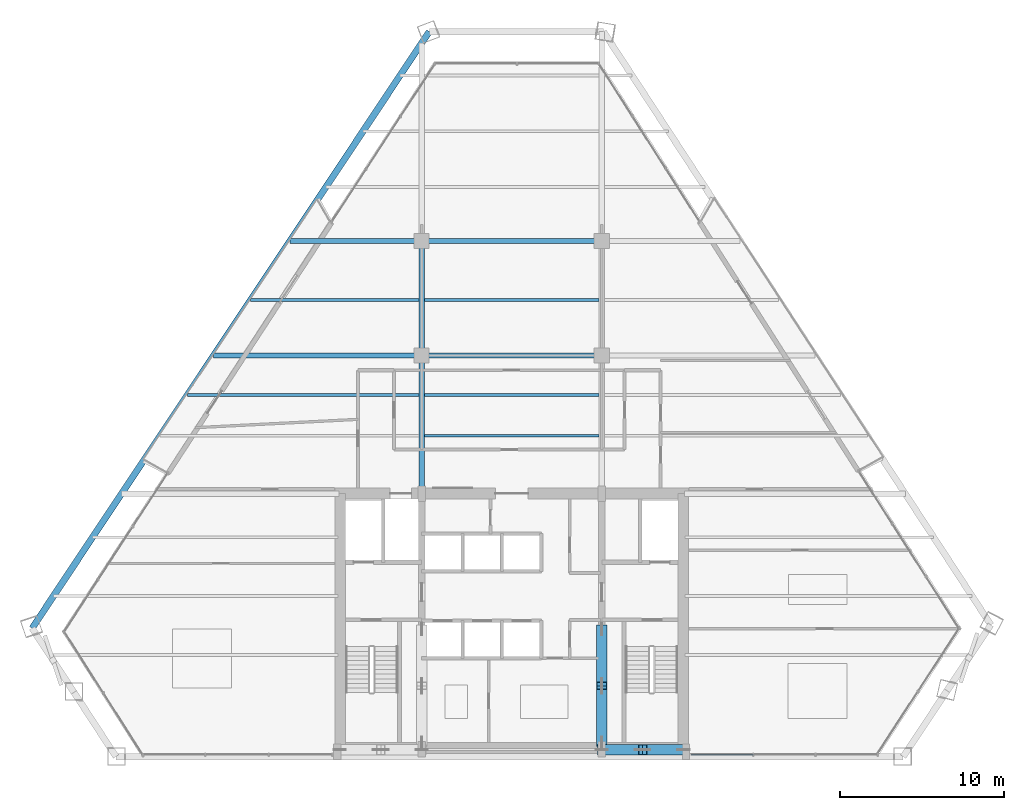
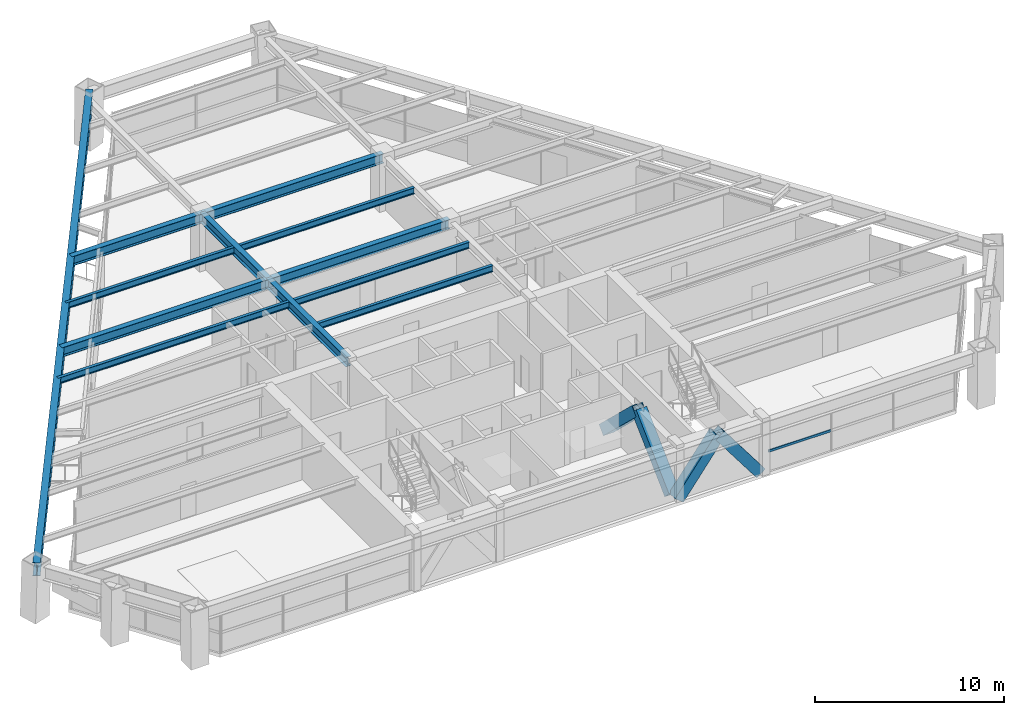
# One storey, part 5 of 15: 12 beams, 5 members, 1 element without a shape of its own.
"""IFC4 building model written with IfcOpenShell, lengths in metres."""

from ifc_helpers import new_model, si_unit, direction, frame, origin, origin_2d, place, context, subcontext, project, spatial, rectangle, hollow_rectangle, i_section, extrude, source, transform, mapped, material, material_profile, profile_set, type_object, type_shapes, element, aggregate, save


model = new_model("IFC4")

# Units and contexts
model_context = context("Model", 3, precision=1e-05, world=origin(), true_north=direction((0.0, 1.0)))
body_context = subcontext(model_context, "Body", "Model", "MODEL_VIEW")
ifc_project = project(units=[si_unit("LENGTHUNIT", "METRE"), si_unit("AREAUNIT", "SQUARE_METRE"), si_unit("VOLUMEUNIT", "CUBIC_METRE"), si_unit("PLANEANGLEUNIT", "RADIAN"), si_unit("MASSUNIT", "GRAM", prefix="KILO")], contexts=[model_context])

# Site, building, storey
site_placement = place(None, origin())
site = spatial("IfcSite", under=ifc_project, at=site_placement, CompositionType="ELEMENT")
building_placement = place(site_placement, origin())
building = spatial("IfcBuilding", under=site, at=building_placement, Name="Varnakhor Terracotta Tower", CompositionType="ELEMENT")
storey_placement = place(building_placement, frame((0.0, 0.0, 136.699951171875)))
storey = spatial("IfcBuildingStorey", under=building, at=storey_placement, Name="L34", CompositionType="ELEMENT", Elevation=136.699951171875)

# Beams
ifc_material_1 = material(Name="Steel S355", Category="steel")
ifc_material_profile_1 = material_profile(ifc_material_1, i_section(OverallWidth=0.324951171875, OverallDepth=0.615966796875, WebThickness=0.013916015625, FlangeThickness=0.02197265625, FilletRadius=0.01806640625, at=origin_2d()), Name="W24X117")
ifc_profile_set_1 = profile_set([ifc_material_profile_1], Name="Steel S355")
beam_type_1 = type_object("IfcBeamType", Name="BM-W24X117", PredefinedType="BEAM", material=ifc_profile_set_1)
shared_shape_1 = source(origin(), body_context, "Body", "SweptSolid", [
    extrude(i_section(OverallWidth=0.324951171875, OverallDepth=0.615966796875, WebThickness=0.013916015625, FlangeThickness=0.02197265625, FilletRadius=0.01806640625, at=origin_2d()), origin(), (0.0, 0.0, 1.0), 8.449951171875),
])
type_shapes(beam_type_1, [shared_shape_1])
beam_1_placement = place(storey_placement, frame((-5.5, 16.050048828125, 3.162109375), z_axis=(0.0, 1.0, 0.0), x_axis=(-1.0, 0.0, 0.0)))
element("IfcBeam", 1, at=beam_1_placement, inside=storey, type_object=beam_type_1, Name="L34 Primary Girder NS1-W", PredefinedType="BEAM", context=body_context, shape_type="MappedRepresentation", body=[
    mapped(shared_shape_1, transform((0.0, 0.0, 0.0), scale=1.0)),
])
shared_shape_2 = source(origin(), body_context, "Body", "SweptSolid", [
    extrude(i_section(OverallWidth=0.324951171875, OverallDepth=0.615966796875, WebThickness=0.013916015625, FlangeThickness=0.02197265625, FilletRadius=0.01806640625, at=origin_2d()), origin(), (0.0, 0.0, 1.0), 7.0),
])
beam_2_placement = place(storey_placement, frame((-5.5, 24.5, 3.162109375), z_axis=(0.0, 1.0, 0.0), x_axis=(-1.0, 0.0, 0.0)))
element("IfcBeam", 2, at=beam_2_placement, inside=storey, type_object=beam_type_1, Name="L34 Primary Girder NS2-W", PredefinedType="BEAM", context=body_context, shape_type="MappedRepresentation", body=[
    mapped(shared_shape_2, transform((0.0, 0.0, 0.0), scale=1.0)),
])
shared_shape_3 = source(origin(), body_context, "Body", "SweptSolid", [
    extrude(i_section(OverallWidth=0.324951171875, OverallDepth=0.615966796875, WebThickness=0.013916015625, FlangeThickness=0.02197265625, FilletRadius=0.01806640625, at=origin_2d()), origin(), (0.0, 0.0, 1.0), 11.0),
])
for number, where, z_axis, x_axis, name in (
    (3, (-5.5, 24.5, 3.162109375), (1.0, 0.0, 0.0), (0.0, 1.0, 0.0), "L34 Primary Girder EW2-2"),
    (4, (-5.5, 31.5, 3.162109375), (1.0, 0.0, 0.0), (0.0, 1.0, 0.0), "L34 Primary Girder EW3-2"),
):
    element("IfcBeam", number, at=place(storey_placement, frame(where, z_axis=z_axis, x_axis=x_axis)), inside=storey, type_object=beam_type_1, Name=name, PredefinedType="BEAM", context=body_context, shape_type="MappedRepresentation", body=[
        mapped(shared_shape_3, transform((0.0, 0.0, 0.0), scale=1.0)),
    ])
ifc_material_profile_2 = material_profile(ifc_material_1, i_section(OverallWidth=0.179931640625, OverallDepth=0.4130859375, WebThickness=0.009765625, FlangeThickness=0.01611328125, FilletRadius=0.01806640625, at=origin_2d()), Name="W16X50")
ifc_profile_set_2 = profile_set([ifc_material_profile_2], Name="Steel S355")
beam_type_2 = type_object("IfcBeamType", Name="JST-W16X50", PredefinedType="JOIST", material=ifc_profile_set_2)
shared_shape_4 = source(origin(), body_context, "Body", "SweptSolid", [
    extrude(i_section(OverallWidth=0.179931640625, OverallDepth=0.4130859375, WebThickness=0.009765625, FlangeThickness=0.01611328125, FilletRadius=0.01806640625, at=origin_2d()), origin(), (0.0, 0.0, 1.0), 10.68310546875),
])
for number, where, z_axis, x_axis, name in (
    (5, (-5.341552734375, 19.60009765625, 3.263427734375), (1.0, 0.0, 0.0), (0.0, 1.0, 0.0), "L34 Composite Floor Joist 4-2"),
    (6, (-5.341552734375, 22.10009765625, 3.263427734375), (1.0, 0.0, 0.0), (0.0, 1.0, 0.0), "L34 Composite Floor Joist 5-2"),
    (7, (-5.341552734375, 27.89990234375, 3.263427734375), (1.0, 0.0, 0.0), (0.0, 1.0, 0.0), "L34 Composite Floor Joist 6-2"),
):
    element("IfcBeam", number, at=place(storey_placement, frame(where, z_axis=z_axis, x_axis=x_axis)), inside=storey, type_object=beam_type_2, Name=name, PredefinedType="JOIST", context=body_context, shape_type="MappedRepresentation", body=[
        mapped(shared_shape_4, transform((0.0, 0.0, 0.0), scale=1.0)),
    ])

# Members
ifc_material_2 = material(Name="Steel S460", Category="steel")
ifc_material_profile_3 = material_profile(ifc_material_2, hollow_rectangle(XDim=0.64990234375, YDim=0.64990234375, WallThickness=0.0400390625, at=origin_2d()), Name="HSS650X650X40")
ifc_profile_set_3 = profile_set([ifc_material_profile_3], Name="Steel S460")
member_type_1 = type_object("IfcMemberType", Name="MBR-MEGA-650", PredefinedType="BRACE", material=ifc_profile_set_3)
shared_shape_5 = source(origin(), body_context, "Body", "SweptSolid", [
    extrude(hollow_rectangle(XDim=0.64990234375, YDim=0.64990234375, WallThickness=0.0400390625, at=origin_2d()), origin(), (0.0, 0.0, 1.0), 4.805908203125),
])
member_1_placement = place(storey_placement, frame((5.5, 0.85009765625, 0.0), z_axis=(0.0, 0.723026776832, 0.69082000549), x_axis=(-1.0, 0.0, 0.0)))
element("IfcMember", 8, at=member_1_placement, inside=storey, type_object=member_type_1, Name="L34 Core Coupled Brace CWEA", PredefinedType="BRACE", context=body_context, shape_type="MappedRepresentation", body=[
    mapped(shared_shape_5, transform((0.0, 0.0, 0.0), scale=1.0)),
])
shared_shape_6 = source(origin(), body_context, "Body", "SweptSolid", [
    extrude(hollow_rectangle(XDim=0.64990234375, YDim=0.64990234375, WallThickness=0.0400390625, at=origin_2d()), origin(), (0.0, 0.0, 1.0), 4.156005859375),
])
for number, where, z_axis, x_axis, name in (
    (9, (5.5, 0.419921875, 0.0), (0.601530923869, 0.0, 0.798849515009), (0.0, 1.0, 0.0), "L34 Core Coupled Brace CSEA"),
    (10, (10.5, 0.419921875, 0.0), (-0.601530923869, 0.0, 0.798849515009), (0.0, -1.0, 0.0), "L34 Core Coupled Brace CSEB"),
):
    element("IfcMember", number, at=place(storey_placement, frame(where, z_axis=z_axis, x_axis=x_axis)), inside=storey, type_object=member_type_1, Name=name, PredefinedType="BRACE", context=body_context, shape_type="MappedRepresentation", body=[
        mapped(shared_shape_6, transform((0.0, 0.0, 0.0), scale=1.0)),
    ])
shared_shape_7 = source(origin(), body_context, "Body", "SweptSolid", [
    extrude(hollow_rectangle(XDim=0.64990234375, YDim=0.64990234375, WallThickness=0.0400390625, at=origin_2d()), origin(), (0.0, 0.0, 1.0), 4.80615234375),
])
member_2_placement = place(storey_placement, frame((5.5, 7.800048828125, 0.0), z_axis=(0.0, -0.723051018573, 0.690794632681), x_axis=(1.0, 0.0, 0.0)))
element("IfcMember", 11, at=member_2_placement, inside=storey, type_object=member_type_1, Name="L34 Core Coupled Brace CWEB", PredefinedType="BRACE", context=body_context, shape_type="MappedRepresentation", body=[
    mapped(shared_shape_7, transform((0.0, 0.0, 0.0), scale=1.0)),
])

# Beams
ifc_material_profile_4 = material_profile(ifc_material_1, i_section(OverallWidth=0.39990234375, OverallDepth=0.85498046875, WebThickness=0.01806640625, FlangeThickness=0.029052734375, FilletRadius=0.01806640625, at=origin_2d()), Name="W33X201")
ifc_profile_set_4 = profile_set([ifc_material_profile_4], Name="Steel S355")
beam_type_3 = type_object("IfcBeamType", Name="BM-W33X201", PredefinedType="BEAM", material=ifc_profile_set_4)
shared_shape_8 = source(origin(), body_context, "Body", "SweptSolid", [
    extrude(i_section(OverallWidth=0.39990234375, OverallDepth=0.85498046875, WebThickness=0.01806640625, FlangeThickness=0.029052734375, FilletRadius=0.01806640625, at=origin_2d()), origin(), (0.0, 0.0, 1.0), 43.788330078125),
])
beam_3_placement = place(storey_placement, frame((-5.031494140625, 44.288330078125, 3.04248046875), z_axis=(-0.554287112912, -0.832325535148, 0.0), x_axis=(0.832325535148, -0.554287112912, 0.0)))
element("IfcBeam", 12, at=beam_3_placement, inside=storey, type_object=beam_type_3, Name="L34 Perimeter Spandrel 6", PredefinedType="BEAM", context=body_context, shape_type="MappedRepresentation", body=[
    mapped(shared_shape_8, transform((0.0, 0.0, 0.0), scale=1.0)),
])
shared_shape_9 = source(origin(), body_context, "Body", "SweptSolid", [
    extrude(i_section(OverallWidth=0.324951171875, OverallDepth=0.615966796875, WebThickness=0.013916015625, FlangeThickness=0.02197265625, FilletRadius=0.01806640625, at=origin_2d()), origin(), (0.0, 0.0, 1.0), 12.709716796875),
])
beam_4_placement = place(storey_placement, frame((-18.209716796875, 24.5, 3.162109375), z_axis=(1.0, 0.0, 0.0), x_axis=(0.0, 1.0, 0.0)))
element("IfcBeam", 13, at=beam_4_placement, inside=storey, type_object=beam_type_1, Name="L34 Primary Girder EW2-1", PredefinedType="BEAM", context=body_context, shape_type="MappedRepresentation", body=[
    mapped(shared_shape_9, transform((0.0, 0.0, 0.0), scale=1.0)),
])
shared_shape_10 = source(origin(), body_context, "Body", "SweptSolid", [
    extrude(i_section(OverallWidth=0.324951171875, OverallDepth=0.615966796875, WebThickness=0.013916015625, FlangeThickness=0.02197265625, FilletRadius=0.01806640625, at=origin_2d()), origin(), (0.0, 0.0, 1.0), 8.0478515625),
])
beam_5_placement = place(storey_placement, frame((-13.5478515625, 31.5, 3.162109375), z_axis=(1.0, 0.0, 0.0), x_axis=(0.0, 1.0, 0.0)))
element("IfcBeam", 14, at=beam_5_placement, inside=storey, type_object=beam_type_1, Name="L34 Primary Girder EW3-1", PredefinedType="BEAM", context=body_context, shape_type="MappedRepresentation", body=[
    mapped(shared_shape_10, transform((0.0, 0.0, 0.0), scale=1.0)),
])
shared_shape_11 = source(origin(), body_context, "Body", "SweptSolid", [
    extrude(i_section(OverallWidth=0.179931640625, OverallDepth=0.4130859375, WebThickness=0.009765625, FlangeThickness=0.01611328125, FilletRadius=0.01806640625, at=origin_2d()), origin(), (0.0, 0.0, 1.0), 14.1494140625),
])
beam_6_placement = place(storey_placement, frame((-19.807861328125, 22.10009765625, 3.263427734375), z_axis=(1.0, 0.0, 0.0), x_axis=(0.0, 1.0, 0.0)))
element("IfcBeam", 15, at=beam_6_placement, inside=storey, type_object=beam_type_2, Name="L34 Composite Floor Joist 5-1", PredefinedType="JOIST", context=body_context, shape_type="MappedRepresentation", body=[
    mapped(shared_shape_11, transform((0.0, 0.0, 0.0), scale=1.0)),
])
shared_shape_12 = source(origin(), body_context, "Body", "SweptSolid", [
    extrude(i_section(OverallWidth=0.179931640625, OverallDepth=0.4130859375, WebThickness=0.009765625, FlangeThickness=0.01611328125, FilletRadius=0.01806640625, at=origin_2d()), origin(), (0.0, 0.0, 1.0), 10.286865234375),
])
beam_7_placement = place(storey_placement, frame((-15.9453125, 27.89990234375, 3.263427734375), z_axis=(1.0, 0.0, 0.0), x_axis=(0.0, 1.0, 0.0)))
element("IfcBeam", 16, at=beam_7_placement, inside=storey, type_object=beam_type_2, Name="L34 Composite Floor Joist 6-1", PredefinedType="JOIST", context=body_context, shape_type="MappedRepresentation", body=[
    mapped(shared_shape_12, transform((0.0, 0.0, 0.0), scale=1.0)),
])

# Curtain wall, member
ifc_material_3 = material(Name="Anodised Aluminium Curtain Wall System", Category="aluminium")
curtain_wall_type = type_object("IfcCurtainWallType", Name="CW-SYS-MID-OFFICE", PredefinedType="NOTDEFINED", material=ifc_material_3)
curtain_wall_placement = place(storey_placement, origin())
curtain_wall = element("IfcCurtainWall", 17, at=curtain_wall_placement, inside=storey, type_object=curtain_wall_type, Name="L34 South Wing Curtain Wall SSE", PredefinedType="NOTDEFINED")
ifc_material_4 = material(Name="Anodised Aluminium 6063-T6", Category="aluminium")
ifc_material_profile_5 = material_profile(ifc_material_4, rectangle(XDim=0.070068359375, YDim=0.155029296875, at=origin_2d()), Name="ALU TRANSOM 70x155")
ifc_profile_set_5 = profile_set([ifc_material_profile_5], Name="Anodised Aluminium 6063-T6")
member_type_2 = type_object("IfcMemberType", Name="CWT-03", PredefinedType="USERDEFINED", material=ifc_profile_set_5)
shared_shape_13 = source(origin(), body_context, "Body", "SweptSolid", [
    extrude(rectangle(XDim=0.070068359375, YDim=0.155029296875, at=origin_2d()), origin(), (0.0, 0.0, 1.0), 3.794677734375),
])
member_3_placement = place(storey_placement, frame((14.7646484375, 0.1201171875, 1.281005859375), z_axis=(-1.0, 0.0, 0.0), x_axis=(0.0, -1.0, 0.0)))
member_3 = element("IfcMember", 18, at=member_3_placement, type_object=member_type_2, Name="L34 South Wing Curtain Wall SSE Transom 3", ObjectType="TRANSOM", PredefinedType="USERDEFINED", context=body_context, shape_type="MappedRepresentation", body=[
    mapped(shared_shape_13, transform((0.0, 0.0, 0.0), scale=1.0)),
])
aggregate(curtain_wall, [member_3])

save(model, "model.ifc")
